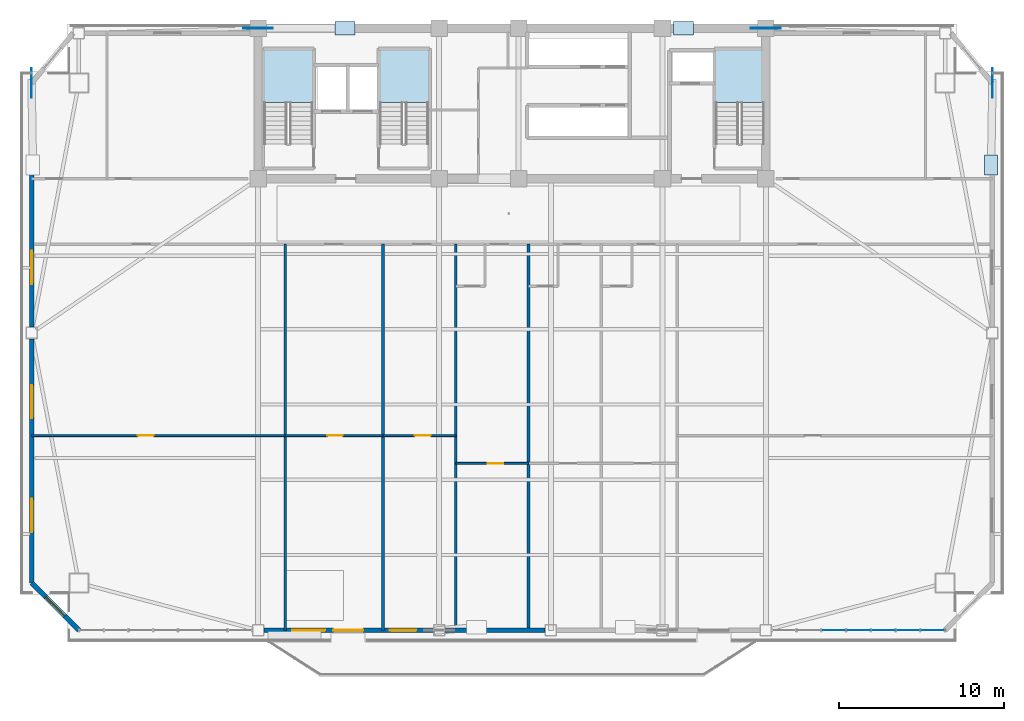
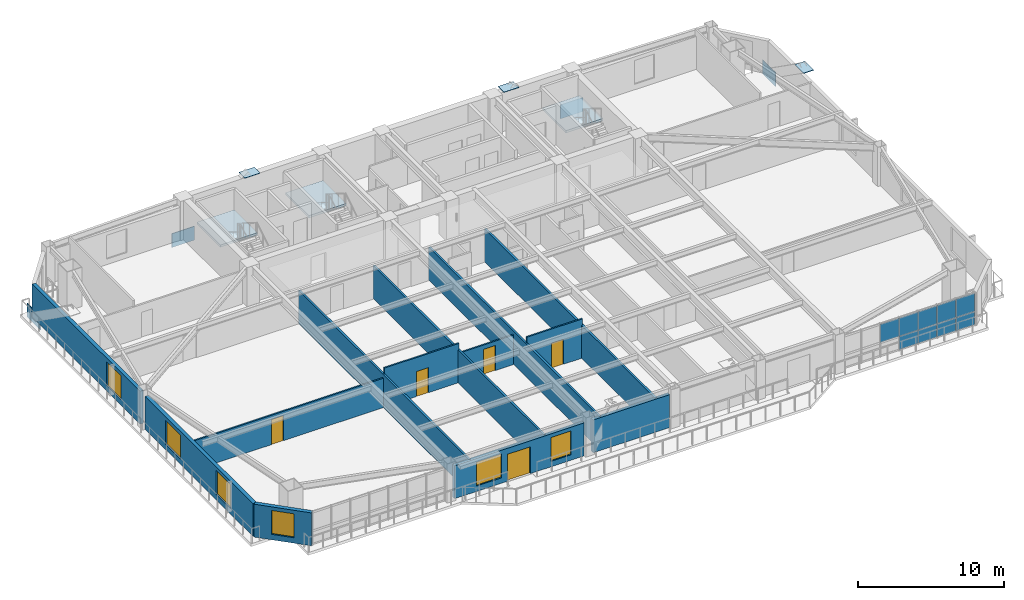
# One storey, part 7 of 15: 16 plates, 13 walls, 6 windows, 5 doors, 3 slabs, 11 openings, 4 elements without a shape of their own.
"""IFC4 building model written with IfcOpenShell, lengths in metres."""

from ifc_helpers import new_model, si_unit, direction, frame, frame_2d, origin, origin_2d, place, context, subcontext, project, spatial, polyline, rectangle, outline, extrude, source, transform, mapped, material, layer, layer_set, type_object, element, fill, aggregate, save


model = new_model("IFC4")

# Units and contexts
model_context = context("Model", 3, precision=1e-05, world=origin(), true_north=direction((0.0, 1.0)))
body_context = subcontext(model_context, "Body", "Model", "MODEL_VIEW")
ifc_project = project(units=[si_unit("LENGTHUNIT", "METRE"), si_unit("AREAUNIT", "SQUARE_METRE"), si_unit("VOLUMEUNIT", "CUBIC_METRE"), si_unit("PLANEANGLEUNIT", "RADIAN"), si_unit("MASSUNIT", "GRAM", prefix="KILO")], contexts=[model_context])

# Site, building, storey
site_placement = place(None, origin())
site = spatial("IfcSite", under=ifc_project, at=site_placement, CompositionType="ELEMENT")
building_placement = place(site_placement, origin())
building = spatial("IfcBuilding", under=site, at=building_placement, Name="Giltprow Tower", CompositionType="ELEMENT")
storey_placement = place(building_placement, frame((0.0, 0.0, 180.699951171875)))
storey = spatial("IfcBuildingStorey", under=building, at=storey_placement, Name="L45", CompositionType="ELEMENT", Elevation=180.699951171875)

# Stair, slab
ifc_material_1 = material(Name="Concrete C40", Category="concrete")
stair_type_1 = type_object("IfcStairType", Name="STR-ST-1", PredefinedType="HALF_TURN_STAIR", material=ifc_material_1)
stair_1_placement = place(storey_placement, origin())
stair_1 = element("IfcStair", 1, at=stair_1_placement, inside=storey, type_object=stair_type_1, Name="L45 Core Exit Stair ST-1", PredefinedType="HALF_TURN_STAIR")
ifc_layer_1 = layer(ifc_material_1, 0.179931640625, Name="Concrete C40")
ifc_layer_set_1 = layer_set([ifc_layer_1], Name="Concrete C40")
slab_type_1 = type_object("IfcSlabType", Name="SLD-ST-1", PredefinedType="LANDING", material=ifc_layer_set_1)
slab_1_placement = place(storey_placement, frame((0.0, 0.0, 1.570068359375)))
slab_1 = element("IfcSlab", 2, at=slab_1_placement, type_object=slab_type_1, Name="ST-1 landing 1", PredefinedType="LANDING", context=body_context, shape_type="SweptSolid", body=[
    extrude(outline(polyline([(23.159912109375, 42.070068359375), (23.159912109375, 45.25), (20.199951171875, 45.25), (20.199951171875, 42.070068359375), (23.159912109375, 42.070068359375)])), origin(), (0.0, 0.0, 1.0), 0.179931640625),
])
aggregate(stair_1, [slab_1])

stair_type_2 = type_object("IfcStairType", Name="STR-ST-2", PredefinedType="HALF_TURN_STAIR", material=ifc_material_1)
stair_2_placement = place(storey_placement, origin())
stair_2 = element("IfcStair", 3, at=stair_2_placement, inside=storey, type_object=stair_type_2, Name="L45 Core Exit Stair ST-2", PredefinedType="HALF_TURN_STAIR")
ifc_layer_2 = layer(ifc_material_1, 0.18798828125, Name="Concrete C40")
ifc_layer_set_2 = layer_set([ifc_layer_2], Name="Concrete C40")
slab_type_2 = type_object("IfcSlabType", Name="SLD-ST-2", PredefinedType="LANDING", material=ifc_layer_set_2)
slab_2_placement = place(storey_placement, frame((0.0, 0.0, 1.56201171875)))
slab_2 = element("IfcSlab", 4, at=slab_2_placement, type_object=slab_type_2, Name="ST-2 landing 1", PredefinedType="LANDING", context=body_context, shape_type="SweptSolid", body=[
    extrude(outline(polyline([(30.159912109375, 42.070068359375), (30.159912109375, 45.25), (27.199951171875, 45.25), (27.199951171875, 42.070068359375), (30.159912109375, 42.070068359375)])), origin(), (0.0, 0.0, 1.0), 0.18798828125),
])
aggregate(stair_2, [slab_2])

stair_type_3 = type_object("IfcStairType", Name="STR-ST-3", PredefinedType="HALF_TURN_STAIR", material=ifc_material_1)
stair_3_placement = place(storey_placement, origin())
stair_3 = element("IfcStair", 5, at=stair_3_placement, inside=storey, type_object=stair_type_3, Name="L45 Core Exit Stair ST-3", PredefinedType="HALF_TURN_STAIR")
ifc_layer_3 = layer(ifc_material_1, 0.196044921875, Name="Concrete C40")
ifc_layer_set_3 = layer_set([ifc_layer_3], Name="Concrete C40")
slab_type_3 = type_object("IfcSlabType", Name="SLD-ST-3", PredefinedType="LANDING", material=ifc_layer_set_3)
slab_3_placement = place(storey_placement, frame((0.0, 0.0, 1.553955078125)))
slab_3 = element("IfcSlab", 6, at=slab_3_placement, type_object=slab_type_3, Name="ST-3 landing 1", PredefinedType="LANDING", context=body_context, shape_type="SweptSolid", body=[
    extrude(outline(polyline([(50.4599609375, 42.070068359375), (50.4599609375, 45.25), (47.5, 45.25), (47.5, 42.070068359375), (50.4599609375, 42.070068359375)])), origin(), (0.0, 0.0, 1.0), 0.196044921875),
])
aggregate(stair_3, [slab_3])

# Plates
ifc_material_2 = material(Name="Structural steel Q420GJC", Category="steel")
plate_type_1 = type_object("IfcPlateType", Name="PLT-NODE-MBN1", PredefinedType="USERDEFINED", material=ifc_material_2)
shared_shape_1 = source(origin(), body_context, "Body", "SweptSolid", [
    extrude(rectangle(XDim=1.800048828125, YDim=0.050048828125, at=origin_2d()), origin(), (0.0, 0.0, 1.0), 1.14990234375),
])
for number, where, z_axis, x_axis, name in (
    (7, (19.85009765625, 46.550048828125, -0.71484375), (0.0, 0.0, 1.0), (1.0, 0.0, 0.0), "Mega-Brace Node L45-N-LA"),
    (8, (50.550048828125, 46.550048828125, -0.71484375), (0.0, 0.0, 1.0), (1.0, 0.0, 0.0), "Mega-Brace Node L45-N-RA"),
    (9, (6.154052734375, 43.239013671875, -0.574951171875), (0.0, 0.0, 1.0), (0.0, 1.0, 0.0), "Mega-Brace Node L45-W-RA"),
    (10, (64.2470703125, 43.239013671875, -0.574951171875), (0.0, 0.0, 1.0), (0.0, 1.0, 0.0), "Mega-Brace Node L45-E-RA"),
):
    element("IfcPlate", number, at=place(storey_placement, frame(where, z_axis=z_axis, x_axis=x_axis)), inside=storey, type_object=plate_type_1, Name=name, ObjectType="GUSSET", PredefinedType="USERDEFINED", context=body_context, shape_type="MappedRepresentation", body=[
        mapped(shared_shape_1, transform((0.0, 0.0, 0.0), x_axis=(1.0, 0.0, 0.0), y_axis=(0.0, 1.0, 0.0), z_axis=(0.0, 0.0, 1.0), scale=1.0)),
    ])
plate_type_2 = type_object("IfcPlateType", Name="PLT-CAP-SEAL", PredefinedType="USERDEFINED", material=ifc_material_2)
shared_shape_2 = source(origin(), body_context, "Body", "SweptSolid", [
    extrude(rectangle(XDim=1.199951171875, YDim=0.800048828125, at=origin_2d()), origin(), (0.0, 0.0, 1.0), 0.034912109375),
])
for number, where, z_axis, x_axis, name in (
    (11, (25.10009765625, 46.550048828125, 3.3427734375), (0.0, 0.0, 1.0), (1.0, 0.0, 0.0), "Mega-Brace Node L45-N-LB"),
    (12, (45.56689453125, 46.550048828125, 3.3427734375), (0.0, 0.0, 1.0), (1.0, 0.0, 0.0), "Mega-Brace Node L45-N-RB"),
    (13, (64.1689453125, 38.2890625, 3.482421875), (0.0, 0.0, 1.0), (0.0, 1.0, 0.0), "Mega-Brace Node L45-E-RB"),
):
    element("IfcPlate", number, at=place(storey_placement, frame(where, z_axis=z_axis, x_axis=x_axis)), inside=storey, type_object=plate_type_2, Name=name, ObjectType="SPLICE", PredefinedType="USERDEFINED", context=body_context, shape_type="MappedRepresentation", body=[
        mapped(shared_shape_2, transform((0.0, 0.0, 0.0), x_axis=(1.0, 0.0, 0.0), y_axis=(0.0, 1.0, 0.0), z_axis=(0.0, 0.0, 1.0), scale=1.0)),
    ])

# Curtain wall, plates
ifc_material_3 = material(Name="Anodized bronze", Category="metal")
ifc_layer_4 = layer(ifc_material_3, 0.179931640625, Name="Anodized bronze")
ifc_layer_set_4 = layer_set([ifc_layer_4], Name="Anodized bronze")
curtain_wall_type = type_object("IfcCurtainWallType", Name="CW-HTL-BRONZE", PredefinedType="NOTDEFINED", material=ifc_layer_set_4)
curtain_wall_placement = place(storey_placement, origin())
curtain_wall = element("IfcCurtainWall", 14, at=curtain_wall_placement, inside=storey, type_object=curtain_wall_type, Name="L45 South Recessed Curtain Wall 6", PredefinedType="NOTDEFINED")
ifc_material_4 = material(Name="Insulated glass", Category="glass")
plate_type_3 = type_object("IfcPlateType", Name="CW-PANEL-IGU-28", PredefinedType="CURTAIN_PANEL", material=ifc_material_4)
shared_shape_3 = source(origin(), body_context, "Body", "SweptSolid", [
    extrude(rectangle(XDim=1.468017578125, YDim=0.028076171875, at=origin_2d()), origin(), (0.0, 0.0, 1.0), 1.0869140625),
])
plate_1_placement = place(storey_placement, frame((56.14306640625, 10.154052734375, 0.0546875), z_axis=(0.0, 0.0, 1.0), x_axis=(1.0, 0.0, 0.0)))
plate_1 = element("IfcPlate", 15, at=plate_1_placement, type_object=plate_type_3, Name="L45 South Recessed Curtain Wall 6 Glazing Panel 4-1", PredefinedType="CURTAIN_PANEL", context=body_context, shape_type="MappedRepresentation", body=[
    mapped(shared_shape_3, transform((0.0, 0.0, 0.0), x_axis=(1.0, 0.0, 0.0), y_axis=(0.0, 1.0, 0.0), z_axis=(0.0, 0.0, 1.0), scale=1.0)),
])
plate_2_placement = place(storey_placement, frame((57.64111328125, 10.154052734375, 0.0546875), z_axis=(0.0, 0.0, 1.0), x_axis=(1.0, 0.0, 0.0)))
plate_2 = element("IfcPlate", 16, at=plate_2_placement, type_object=plate_type_3, Name="L45 South Recessed Curtain Wall 6 Glazing Panel 5-1", PredefinedType="CURTAIN_PANEL", context=body_context, shape_type="MappedRepresentation", body=[
    mapped(shared_shape_3, transform((0.0, 0.0, 0.0), x_axis=(1.0, 0.0, 0.0), y_axis=(0.0, 1.0, 0.0), z_axis=(0.0, 0.0, 1.0), scale=1.0)),
])
plate_3_placement = place(storey_placement, frame((59.138916015625, 10.154052734375, 0.0546875), z_axis=(0.0, 0.0, 1.0), x_axis=(1.0, 0.0, 0.0)))
plate_3 = element("IfcPlate", 17, at=plate_3_placement, type_object=plate_type_3, Name="L45 South Recessed Curtain Wall 6 Glazing Panel 6-1", PredefinedType="CURTAIN_PANEL", context=body_context, shape_type="MappedRepresentation", body=[
    mapped(shared_shape_3, transform((0.0, 0.0, 0.0), x_axis=(1.0, 0.0, 0.0), y_axis=(0.0, 1.0, 0.0), z_axis=(0.0, 0.0, 1.0), scale=1.0)),
])
plate_4_placement = place(storey_placement, frame((60.636962890625, 10.154052734375, 0.0546875), z_axis=(0.0, 0.0, 1.0), x_axis=(1.0, 0.0, 0.0)))
plate_4 = element("IfcPlate", 18, at=plate_4_placement, type_object=plate_type_3, Name="L45 South Recessed Curtain Wall 6 Glazing Panel 7-1", PredefinedType="CURTAIN_PANEL", context=body_context, shape_type="MappedRepresentation", body=[
    mapped(shared_shape_3, transform((0.0, 0.0, 0.0), x_axis=(1.0, 0.0, 0.0), y_axis=(0.0, 1.0, 0.0), z_axis=(0.0, 0.0, 1.0), scale=1.0)),
])
shared_shape_4 = source(origin(), body_context, "Body", "SweptSolid", [
    extrude(rectangle(XDim=1.468017578125, YDim=0.028076171875, at=origin_2d()), origin(), (0.0, 0.0, 1.0), 1.527099609375),
])
plate_5_placement = place(storey_placement, frame((54.64501953125, 10.154052734375, 1.16845703125), z_axis=(0.0, 0.0, 1.0), x_axis=(1.0, 0.0, 0.0)))
plate_5 = element("IfcPlate", 19, at=plate_5_placement, type_object=plate_type_3, Name="L45 South Recessed Curtain Wall 6 Glazing Panel 3-2", PredefinedType="CURTAIN_PANEL", context=body_context, shape_type="MappedRepresentation", body=[
    mapped(shared_shape_4, transform((0.0, 0.0, 0.0), x_axis=(1.0, 0.0, 0.0), y_axis=(0.0, 1.0, 0.0), z_axis=(0.0, 0.0, 1.0), scale=1.0)),
])
plate_6_placement = place(storey_placement, frame((56.14306640625, 10.154052734375, 1.16845703125), z_axis=(0.0, 0.0, 1.0), x_axis=(1.0, 0.0, 0.0)))
plate_6 = element("IfcPlate", 20, at=plate_6_placement, type_object=plate_type_3, Name="L45 South Recessed Curtain Wall 6 Glazing Panel 4-2", PredefinedType="CURTAIN_PANEL", context=body_context, shape_type="MappedRepresentation", body=[
    mapped(shared_shape_4, transform((0.0, 0.0, 0.0), x_axis=(1.0, 0.0, 0.0), y_axis=(0.0, 1.0, 0.0), z_axis=(0.0, 0.0, 1.0), scale=1.0)),
])
plate_7_placement = place(storey_placement, frame((57.64111328125, 10.154052734375, 1.16845703125), z_axis=(0.0, 0.0, 1.0), x_axis=(1.0, 0.0, 0.0)))
plate_7 = element("IfcPlate", 21, at=plate_7_placement, type_object=plate_type_3, Name="L45 South Recessed Curtain Wall 6 Glazing Panel 5-2", PredefinedType="CURTAIN_PANEL", context=body_context, shape_type="MappedRepresentation", body=[
    mapped(shared_shape_4, transform((0.0, 0.0, 0.0), x_axis=(1.0, 0.0, 0.0), y_axis=(0.0, 1.0, 0.0), z_axis=(0.0, 0.0, 1.0), scale=1.0)),
])
plate_8_placement = place(storey_placement, frame((59.138916015625, 10.154052734375, 1.16845703125), z_axis=(0.0, 0.0, 1.0), x_axis=(1.0, 0.0, 0.0)))
plate_8 = element("IfcPlate", 22, at=plate_8_placement, type_object=plate_type_3, Name="L45 South Recessed Curtain Wall 6 Glazing Panel 6-2", PredefinedType="CURTAIN_PANEL", context=body_context, shape_type="MappedRepresentation", body=[
    mapped(shared_shape_4, transform((0.0, 0.0, 0.0), x_axis=(1.0, 0.0, 0.0), y_axis=(0.0, 1.0, 0.0), z_axis=(0.0, 0.0, 1.0), scale=1.0)),
])
plate_9_placement = place(storey_placement, frame((60.636962890625, 10.154052734375, 1.16845703125), z_axis=(0.0, 0.0, 1.0), x_axis=(1.0, 0.0, 0.0)))
plate_9 = element("IfcPlate", 23, at=plate_9_placement, type_object=plate_type_3, Name="L45 South Recessed Curtain Wall 6 Glazing Panel 7-2", PredefinedType="CURTAIN_PANEL", context=body_context, shape_type="MappedRepresentation", body=[
    mapped(shared_shape_4, transform((0.0, 0.0, 0.0), x_axis=(1.0, 0.0, 0.0), y_axis=(0.0, 1.0, 0.0), z_axis=(0.0, 0.0, 1.0), scale=1.0)),
])
aggregate(curtain_wall, [plate_5, plate_1, plate_6, plate_2, plate_7, plate_3, plate_8, plate_4, plate_9])

# Wall, opening, window
ifc_material_5 = material(Name="Precast concrete C40", Category="concrete")
ifc_layer_5 = layer(ifc_material_5, 0.300048828125, Name="Precast concrete C40")
ifc_layer_set_5 = layer_set([ifc_layer_5], Name="Precast concrete C40")
wall_type_1 = type_object("IfcWallType", Name="EW-NOTCH-CHAMFER-300", PredefinedType="SOLIDWALL", material=ifc_layer_set_5)
wall_1_placement = place(storey_placement, frame((6.154052734375, 13.014892578125, 0.0), z_axis=(0.0, 0.0, 1.0), x_axis=(0.707106781187, -0.707106781187, 0.0)))
wall_1 = element("IfcWall", 24, at=wall_1_placement, inside=storey, type_object=wall_type_1, Name="L45 Corner Notch Wall SW", PredefinedType="SOLIDWALL", context=body_context, shape_type="SweptSolid", body=[
    extrude(rectangle(XDim=4.0458984375, YDim=0.300048828125, at=frame_2d((2.02294921875, 0.0))), origin(), (0.0, 0.0, 1.0), 2.75),
])
opening_1_placement = place(wall_1_placement, frame((1.222900390625, 0.0, 0.449951171875)))
opening_1 = element("IfcOpeningElement", 25, at=opening_1_placement, cuts=wall_1, Name="Opening WN17", PredefinedType="OPENING", context=body_context, shape_type="SweptSolid", body=[
    extrude(rectangle(XDim=1.60009765625, YDim=2.0, at=frame_2d((0.800048828125, 1.0))), frame((0.0, 0.159912109375, 0.0), z_axis=(0.0, -1.0, 0.0), x_axis=(1.0, 0.0, 0.0)), (0.0, 0.0, 1.0), 0.320068359375),
])
window_type_1 = type_object("IfcWindowType", Name="WN-COR-1600x2000", PartitioningType="SINGLE_PANEL", PredefinedType="WINDOW", material=ifc_material_4)
shared_shape_5 = source(origin(), body_context, "Body", "SweptSolid", [
    extrude(rectangle(XDim=1.60009765625, YDim=2.0, at=frame_2d((0.800048828125, 1.0))), frame((0.0, 0.030029296875, 0.0), z_axis=(0.0, -1.0, 0.0), x_axis=(1.0, 0.0, 0.0)), (0.0, 0.0, 1.0), 0.06005859375),
])
window_1_placement = place(opening_1_placement, origin())
window_1 = element("IfcWindow", 26, at=window_1_placement, inside=storey, type_object=window_type_1, Name="L45 Corner Notch Window SW", OverallHeight=2.0, OverallWidth=1.60009765625, PartitioningType="SINGLE_PANEL", PredefinedType="WINDOW", context=body_context, shape_type="MappedRepresentation", body=[
    mapped(shared_shape_5, transform((0.0, 0.0, 0.0), x_axis=(1.0, 0.0, 0.0), y_axis=(0.0, 1.0, 0.0), z_axis=(0.0, 0.0, 1.0), scale=1.0)),
])
fill(opening_1, window_1)

# Wall, openings, windows, door
ifc_layer_6 = layer(ifc_material_5, 0.280029296875, Name="Precast concrete C40")
ifc_layer_set_6 = layer_set([ifc_layer_6], Name="Precast concrete C40")
wall_type_2 = type_object("IfcWallType", Name="EW-TOW-BRONZE-280", PredefinedType="SOLIDWALL", material=ifc_layer_set_6)
wall_2_placement = place(storey_placement, frame((20.199951171875, 10.154052734375, 0.0), z_axis=(0.0, 0.0, 1.0), x_axis=(1.0, 0.0, 0.0)))
wall_2 = element("IfcWall", 27, at=wall_2_placement, inside=storey, type_object=wall_type_2, Name="L45 South Expressed Frame Wall 2", PredefinedType="SOLIDWALL", context=body_context, shape_type="SweptSolid", body=[
    extrude(rectangle(XDim=10.25, YDim=0.280029296875, at=frame_2d((5.125, 0.0))), origin(), (0.0, 0.0, 1.0), 2.75),
])
opening_2_placement = place(wall_2_placement, frame((4.199951171875, 0.0, 0.0)))
opening_2 = element("IfcOpeningElement", 28, at=opening_2_placement, cuts=wall_2, Name="Opening ED25", PredefinedType="OPENING", context=body_context, shape_type="SweptSolid", body=[
    extrude(rectangle(XDim=1.800048828125, YDim=2.25, at=frame_2d((0.89990234375, 1.125))), frame((0.0, 0.14990234375, 0.0), z_axis=(0.0, -1.0, 0.0), x_axis=(1.0, 0.0, 0.0)), (0.0, 0.0, 1.0), 0.300048828125),
])
opening_3_placement = place(wall_2_placement, frame((1.719970703125, 0.0, 0.449951171875)))
opening_3 = element("IfcOpeningElement", 29, at=opening_3_placement, cuts=wall_2, Name="Opening WN21", PredefinedType="OPENING", context=body_context, shape_type="SweptSolid", body=[
    extrude(rectangle(XDim=2.0, YDim=2.0, at=frame_2d((1.0, 1.0))), frame((0.0, 0.14990234375, 0.0), z_axis=(0.0, -1.0, 0.0), x_axis=(1.0, 0.0, 0.0)), (0.0, 0.0, 1.0), 0.300048828125),
])
opening_4_placement = place(wall_2_placement, frame((7.6201171875, 0.0, 0.449951171875)))
opening_4 = element("IfcOpeningElement", 30, at=opening_4_placement, cuts=wall_2, Name="Opening WN17", PredefinedType="OPENING", context=body_context, shape_type="SweptSolid", body=[
    extrude(rectangle(XDim=1.60009765625, YDim=2.0, at=frame_2d((0.800048828125, 1.0))), frame((0.0, 0.14990234375, 0.0), z_axis=(0.0, -1.0, 0.0), x_axis=(1.0, 0.0, 0.0)), (0.0, 0.0, 1.0), 0.300048828125),
])
window_2_placement = place(opening_4_placement, origin())
window_2 = element("IfcWindow", 31, at=window_2_placement, inside=storey, type_object=window_type_1, Name="L45 South Window 2B", OverallHeight=2.0, OverallWidth=1.60009765625, PartitioningType="SINGLE_PANEL", PredefinedType="WINDOW", context=body_context, shape_type="MappedRepresentation", body=[
    mapped(shared_shape_5, transform((0.0, 0.0, 0.0), x_axis=(1.0, 0.0, 0.0), y_axis=(0.0, 1.0, 0.0), z_axis=(0.0, 0.0, 1.0), scale=1.0)),
])
fill(opening_4, window_2)
ifc_material_6 = material(Name="Anodized bronze and glass", Category="glass")
door_type_1 = type_object("IfcDoorType", Name="DR-BALC-SLIDE-1800", OperationType="SLIDING_TO_LEFT", PredefinedType="DOOR", material=ifc_material_6)
shared_shape_6 = source(origin(), body_context, "Body", "SweptSolid", [
    extrude(rectangle(XDim=1.800048828125, YDim=2.25, at=frame_2d((0.89990234375, 1.125))), frame((0.0, 0.02490234375, 0.0), z_axis=(0.0, -1.0, 0.0), x_axis=(1.0, 0.0, 0.0)), (0.0, 0.0, 1.0), 0.050048828125),
])
door_1_placement = place(opening_2_placement, origin())
door_1 = element("IfcDoor", 32, at=door_1_placement, inside=storey, type_object=door_type_1, Name="L45 Waterfront Balcony Sliding Door 1", OperationType="SLIDING_TO_LEFT", OverallHeight=2.25, OverallWidth=1.800048828125, PredefinedType="DOOR", context=body_context, shape_type="MappedRepresentation", body=[
    mapped(shared_shape_6, transform((0.0, 0.0, 0.0), x_axis=(1.0, 0.0, 0.0), y_axis=(0.0, 1.0, 0.0), z_axis=(0.0, 0.0, 1.0), scale=1.0)),
])
fill(opening_2, door_1)
window_type_2 = type_object("IfcWindowType", Name="WN-HTL-2000x2000", PartitioningType="DOUBLE_PANEL_VERTICAL", PredefinedType="WINDOW", material=ifc_material_4)
shared_shape_7 = source(origin(), body_context, "Body", "SweptSolid", [
    extrude(rectangle(XDim=2.0, YDim=2.0, at=frame_2d((1.0, 1.0))), frame((0.0, 0.030029296875, 0.0), z_axis=(0.0, -1.0, 0.0), x_axis=(1.0, 0.0, 0.0)), (0.0, 0.0, 1.0), 0.06005859375),
])
window_3_placement = place(opening_3_placement, origin())
window_3 = element("IfcWindow", 33, at=window_3_placement, inside=storey, type_object=window_type_2, Name="L45 South Window 2A", OverallHeight=2.0, OverallWidth=2.0, PartitioningType="SINGLE_PANEL", PredefinedType="WINDOW", context=body_context, shape_type="MappedRepresentation", body=[
    mapped(shared_shape_7, transform((0.0, 0.0, 0.0), x_axis=(1.0, 0.0, 0.0), y_axis=(0.0, 1.0, 0.0), z_axis=(0.0, 0.0, 1.0), scale=1.0)),
])
fill(opening_3, window_3)

# Wall
wall_3_placement = place(storey_placement, frame((31.14990234375, 10.154052734375, 0.0), z_axis=(0.0, 0.0, 1.0), x_axis=(1.0, 0.0, 0.0)))
element("IfcWall", 34, at=wall_3_placement, inside=storey, type_object=wall_type_2, Name="L45 South Expressed Frame Wall 3", PredefinedType="SOLIDWALL", context=body_context, shape_type="SweptSolid", body=[
    extrude(rectangle(XDim=6.050048828125, YDim=0.280029296875, at=frame_2d((3.02490234375, 0.0))), origin(), (0.0, 0.0, 1.0), 2.75),
])

# Wall, openings, windows
wall_4_placement = place(storey_placement, frame((6.154052734375, 13.014892578125, 0.0), z_axis=(0.0, 0.0, 1.0), x_axis=(0.0, 1.0, 0.0)))
wall_4 = element("IfcWall", 35, at=wall_4_placement, inside=storey, type_object=wall_type_2, Name="L45 W Wing Masonry Wall 1", PredefinedType="SOLIDWALL", context=body_context, shape_type="SweptSolid", body=[
    extrude(rectangle(XDim=14.76220703125, YDim=0.280029296875, at=frame_2d((7.381103515625, 0.0))), origin(), (0.0, 0.0, 1.0), 2.75),
])
opening_5_placement = place(wall_4_placement, frame((3.077880859375, 0.0, 0.449951171875)))
opening_5 = element("IfcOpeningElement", 36, at=opening_5_placement, cuts=wall_4, Name="Opening WN21", PredefinedType="OPENING", context=body_context, shape_type="SweptSolid", body=[
    extrude(rectangle(XDim=2.0, YDim=2.0, at=frame_2d((1.0, 1.0))), frame((0.0, 0.14990234375, 0.0), z_axis=(0.0, -1.0, 0.0), x_axis=(1.0, 0.0, 0.0)), (0.0, 0.0, 1.0), 0.300048828125),
])
opening_6_placement = place(wall_4_placement, frame((9.958984375, 0.0, 0.449951171875)))
opening_6 = element("IfcOpeningElement", 37, at=opening_6_placement, cuts=wall_4, Name="Opening WN21", PredefinedType="OPENING", context=body_context, shape_type="SweptSolid", body=[
    extrude(rectangle(XDim=2.0, YDim=2.0, at=frame_2d((1.0, 1.0))), frame((0.0, 0.14990234375, 0.0), z_axis=(0.0, -1.0, 0.0), x_axis=(1.0, 0.0, 0.0)), (0.0, 0.0, 1.0), 0.300048828125),
])
window_4_placement = place(opening_5_placement, origin())
window_4 = element("IfcWindow", 38, at=window_4_placement, inside=storey, type_object=window_type_2, Name="L45 W Wing Window 1-1A", OverallHeight=2.0, OverallWidth=2.0, PartitioningType="SINGLE_PANEL", PredefinedType="WINDOW", context=body_context, shape_type="MappedRepresentation", body=[
    mapped(shared_shape_7, transform((0.0, 0.0, 0.0), x_axis=(1.0, 0.0, 0.0), y_axis=(0.0, 1.0, 0.0), z_axis=(0.0, 0.0, 1.0), scale=1.0)),
])
fill(opening_5, window_4)
window_5_placement = place(opening_6_placement, origin())
window_5 = element("IfcWindow", 39, at=window_5_placement, inside=storey, type_object=window_type_2, Name="L45 W Wing Window 1-1B", OverallHeight=2.0, OverallWidth=2.0, PartitioningType="SINGLE_PANEL", PredefinedType="WINDOW", context=body_context, shape_type="MappedRepresentation", body=[
    mapped(shared_shape_7, transform((0.0, 0.0, 0.0), x_axis=(1.0, 0.0, 0.0), y_axis=(0.0, 1.0, 0.0), z_axis=(0.0, 0.0, 1.0), scale=1.0)),
])
fill(opening_6, window_5)

# Wall, opening, window
wall_5_placement = place(storey_placement, frame((6.154052734375, 28.47705078125, 0.0), z_axis=(0.0, 0.0, 1.0), x_axis=(0.0, 1.0, 0.0)))
wall_5 = element("IfcWall", 40, at=wall_5_placement, inside=storey, type_object=wall_type_2, Name="L45 W Wing Masonry Wall 2", PredefinedType="SOLIDWALL", context=body_context, shape_type="SweptSolid", body=[
    extrude(rectangle(XDim=14.761962890625, YDim=0.280029296875, at=frame_2d((7.380859375, 0.0))), origin(), (0.0, 0.0, 1.0), 2.75),
])
opening_7_placement = place(wall_5_placement, frame((2.60791015625, 0.0, 0.449951171875)))
opening_7 = element("IfcOpeningElement", 41, at=opening_7_placement, cuts=wall_5, Name="Opening WN21", PredefinedType="OPENING", context=body_context, shape_type="SweptSolid", body=[
    extrude(rectangle(XDim=2.0, YDim=2.0, at=frame_2d((1.0, 1.0))), frame((0.0, 0.14990234375, 0.0), z_axis=(0.0, -1.0, 0.0), x_axis=(1.0, 0.0, 0.0)), (0.0, 0.0, 1.0), 0.300048828125),
])
window_6_placement = place(opening_7_placement, origin())
window_6 = element("IfcWindow", 42, at=window_6_placement, inside=storey, type_object=window_type_2, Name="L45 W Wing Window 2-1", OverallHeight=2.0, OverallWidth=2.0, PartitioningType="SINGLE_PANEL", PredefinedType="WINDOW", context=body_context, shape_type="MappedRepresentation", body=[
    mapped(shared_shape_7, transform((0.0, 0.0, 0.0), x_axis=(1.0, 0.0, 0.0), y_axis=(0.0, 1.0, 0.0), z_axis=(0.0, 0.0, 1.0), scale=1.0)),
])
fill(opening_7, window_6)

# Walls
ifc_material_7 = material(Name="Gypsum stud partition", Category="gypsum")
ifc_layer_7 = layer(ifc_material_7, 0.159912109375, Name="Gypsum stud partition")
ifc_layer_set_7 = layer_set([ifc_layer_7], Name="Gypsum stud partition")
wall_type_3 = type_object("IfcWallType", Name="IW-DEMISE-160", PredefinedType="PARTITIONING", material=ifc_layer_set_7)
for number, where, z_axis, x_axis, name in (
    (43, (21.5, 10.154052734375, 0.0), (0.0, 0.0, 1.0), (0.0, 1.0, 0.0), "L45 Hotel Demising Wall 1"),
    (44, (27.39990234375, 10.154052734375, 0.0), (0.0, 0.0, 1.0), (0.0, 1.0, 0.0), "L45 Hotel Demising Wall 2"),
    (45, (31.800048828125, 10.154052734375, 0.0), (0.0, 0.0, 1.0), (0.0, 1.0, 0.0), "L45 Hotel Demising Wall 3"),
    (46, (36.199951171875, 10.154052734375, 0.0), (0.0, 0.0, 1.0), (0.0, 1.0, 0.0), "L45 Hotel Demising Wall 4"),
):
    element("IfcWall", number, at=place(storey_placement, frame(where, z_axis=z_axis, x_axis=x_axis)), inside=storey, type_object=wall_type_3, Name=name, PredefinedType="PARTITIONING", context=body_context, shape_type="SweptSolid", body=[
        extrude(rectangle(XDim=23.345947265625, YDim=0.159912109375, at=frame_2d((11.6728515625, 0.0))), origin(), (0.0, 0.0, 1.0), 2.755126953125),
    ])

# Wall, opening, door
ifc_layer_8 = layer(ifc_material_7, 0.1201171875, Name="Gypsum stud partition")
ifc_layer_set_8 = layer_set([ifc_layer_8], Name="Gypsum stud partition")
wall_type_4 = type_object("IfcWallType", Name="IW-ROOM-120", PredefinedType="PARTITIONING", material=ifc_layer_set_8)
wall_6_placement = place(storey_placement, frame((6.154052734375, 21.927001953125, 0.0), z_axis=(0.0, 0.0, 1.0), x_axis=(1.0, 0.0, 0.0)))
wall_6 = element("IfcWall", 47, at=wall_6_placement, inside=storey, type_object=wall_type_4, Name="L45 Amenity Mid Wall 1", PredefinedType="PARTITIONING", context=body_context, shape_type="SweptSolid", body=[
    extrude(rectangle(XDim=15.345947265625, YDim=0.1201171875, at=frame_2d((7.6728515625, 0.0))), origin(), (0.0, 0.0, 1.0), 2.455078125),
])
opening_8_placement = place(wall_6_placement, frame((6.424072265625, 0.0, 0.0)))
opening_8 = element("IfcOpeningElement", 48, at=opening_8_placement, cuts=wall_6, Name="Opening ID11", PredefinedType="OPENING", context=body_context, shape_type="SweptSolid", body=[
    extrude(rectangle(XDim=0.949951171875, YDim=2.10009765625, at=frame_2d((0.47509765625, 1.050048828125))), frame((0.0, 0.070068359375, 0.0), z_axis=(0.0, -1.0, 0.0), x_axis=(1.0, 0.0, 0.0)), (0.0, 0.0, 1.0), 0.14013671875),
])
ifc_material_8 = material(Name="Engineered timber", Category="wood")
door_type_2 = type_object("IfcDoorType", Name="DR-ROOM-950", OperationType="SINGLE_SWING_RIGHT", PredefinedType="DOOR", material=ifc_material_8)
shared_shape_8 = source(origin(), body_context, "Body", "SweptSolid", [
    extrude(rectangle(XDim=0.949951171875, YDim=2.10009765625, at=frame_2d((0.47509765625, 1.050048828125))), frame((0.0, 0.02490234375, 0.0), z_axis=(0.0, -1.0, 0.0), x_axis=(1.0, 0.0, 0.0)), (0.0, 0.0, 1.0), 0.050048828125),
])
door_2_placement = place(opening_8_placement, origin())
door_2 = element("IfcDoor", 49, at=door_2_placement, inside=storey, type_object=door_type_2, Name="L45 Diplomatic Meeting Room 1 Inner Door", OperationType="SINGLE_SWING_LEFT", OverallHeight=2.10009765625, OverallWidth=0.949951171875, PredefinedType="DOOR", context=body_context, shape_type="MappedRepresentation", body=[
    mapped(shared_shape_8, transform((0.0, 0.0, 0.0), x_axis=(1.0, 0.0, 0.0), y_axis=(0.0, 1.0, 0.0), z_axis=(0.0, 0.0, 1.0), scale=1.0)),
])
fill(opening_8, door_2)

wall_7_placement = place(storey_placement, frame((21.5, 21.927001953125, 0.0), z_axis=(0.0, 0.0, 1.0), x_axis=(1.0, 0.0, 0.0)))
wall_7 = element("IfcWall", 50, at=wall_7_placement, inside=storey, type_object=wall_type_4, Name="L45 Amenity Mid Wall 2", PredefinedType="PARTITIONING", context=body_context, shape_type="SweptSolid", body=[
    extrude(rectangle(XDim=5.89990234375, YDim=0.1201171875, at=frame_2d((2.949951171875, 0.0))), origin(), (0.0, 0.0, 1.0), 3.27001953125),
])
opening_9_placement = place(wall_7_placement, frame((2.52587890625, 0.0, 0.0)))
opening_9 = element("IfcOpeningElement", 51, at=opening_9_placement, cuts=wall_7, Name="Opening ID11", PredefinedType="OPENING", context=body_context, shape_type="SweptSolid", body=[
    extrude(rectangle(XDim=0.949951171875, YDim=2.10009765625, at=frame_2d((0.47509765625, 1.050048828125))), frame((0.0, 0.070068359375, 0.0), z_axis=(0.0, -1.0, 0.0), x_axis=(1.0, 0.0, 0.0)), (0.0, 0.0, 1.0), 0.14013671875),
])
door_3_placement = place(opening_9_placement, origin())
door_3 = element("IfcDoor", 52, at=door_3_placement, inside=storey, type_object=door_type_2, Name="L45 Boardroom Meeting Room 2 Inner Door", OperationType="SINGLE_SWING_LEFT", OverallHeight=2.10009765625, OverallWidth=0.949951171875, PredefinedType="DOOR", context=body_context, shape_type="MappedRepresentation", body=[
    mapped(shared_shape_8, transform((0.0, 0.0, 0.0), x_axis=(1.0, 0.0, 0.0), y_axis=(0.0, 1.0, 0.0), z_axis=(0.0, 0.0, 1.0), scale=1.0)),
])
fill(opening_9, door_3)

wall_8_placement = place(storey_placement, frame((27.39990234375, 21.927001953125, 0.0), z_axis=(0.0, 0.0, 1.0), x_axis=(1.0, 0.0, 0.0)))
wall_8 = element("IfcWall", 53, at=wall_8_placement, inside=storey, type_object=wall_type_4, Name="L45 Amenity Mid Wall 3", PredefinedType="PARTITIONING", context=body_context, shape_type="SweptSolid", body=[
    extrude(rectangle(XDim=4.400146484375, YDim=0.1201171875, at=frame_2d((2.2001953125, 0.0))), origin(), (0.0, 0.0, 1.0), 2.455078125),
])
opening_10_placement = place(wall_8_placement, frame((1.926025390625, 0.0, 0.0)))
opening_10 = element("IfcOpeningElement", 54, at=opening_10_placement, cuts=wall_8, Name="Opening ID11", PredefinedType="OPENING", context=body_context, shape_type="SweptSolid", body=[
    extrude(rectangle(XDim=0.949951171875, YDim=2.10009765625, at=frame_2d((0.47509765625, 1.050048828125))), frame((0.0, 0.070068359375, 0.0), z_axis=(0.0, -1.0, 0.0), x_axis=(1.0, 0.0, 0.0)), (0.0, 0.0, 1.0), 0.14013671875),
])
door_4_placement = place(opening_10_placement, origin())
door_4 = element("IfcDoor", 55, at=door_4_placement, inside=storey, type_object=door_type_2, Name="L45 Seminar Meeting Room 3 Inner Door", OperationType="SINGLE_SWING_LEFT", OverallHeight=2.10009765625, OverallWidth=0.949951171875, PredefinedType="DOOR", context=body_context, shape_type="MappedRepresentation", body=[
    mapped(shared_shape_8, transform((0.0, 0.0, 0.0), x_axis=(1.0, 0.0, 0.0), y_axis=(0.0, 1.0, 0.0), z_axis=(0.0, 0.0, 1.0), scale=1.0)),
])
fill(opening_10, door_4)

wall_9_placement = place(storey_placement, frame((31.800048828125, 20.239990234375, 0.0), z_axis=(0.0, 0.0, 1.0), x_axis=(1.0, 0.0, 0.0)))
wall_9 = element("IfcWall", 56, at=wall_9_placement, inside=storey, type_object=wall_type_4, Name="L45 Suite Parlour Divider 4", PredefinedType="PARTITIONING", context=body_context, shape_type="SweptSolid", body=[
    extrude(rectangle(XDim=4.39990234375, YDim=0.1201171875, at=frame_2d((2.199951171875, 0.0))), origin(), (0.0, 0.0, 1.0), 3.27001953125),
])
opening_11_placement = place(wall_9_placement, frame((1.925048828125, 0.0, 0.0)))
opening_11 = element("IfcOpeningElement", 57, at=opening_11_placement, cuts=wall_9, Name="Opening ID11", PredefinedType="OPENING", context=body_context, shape_type="SweptSolid", body=[
    extrude(rectangle(XDim=0.949951171875, YDim=2.10009765625, at=frame_2d((0.47509765625, 1.050048828125))), frame((0.0, 0.070068359375, 0.0), z_axis=(0.0, -1.0, 0.0), x_axis=(1.0, 0.0, 0.0)), (0.0, 0.0, 1.0), 0.14013671875),
])
door_5_placement = place(opening_11_placement, origin())
door_5 = element("IfcDoor", 58, at=door_5_placement, inside=storey, type_object=door_type_2, Name="L45 Harbour Parlour 4 Door", OperationType="SINGLE_SWING_RIGHT", OverallHeight=2.10009765625, OverallWidth=0.949951171875, PredefinedType="DOOR", context=body_context, shape_type="MappedRepresentation", body=[
    mapped(shared_shape_8, transform((0.0, 0.0, 0.0), x_axis=(1.0, 0.0, 0.0), y_axis=(0.0, 1.0, 0.0), z_axis=(0.0, 0.0, 1.0), scale=1.0)),
])
fill(opening_11, door_5)

save(model, "model.ifc")
